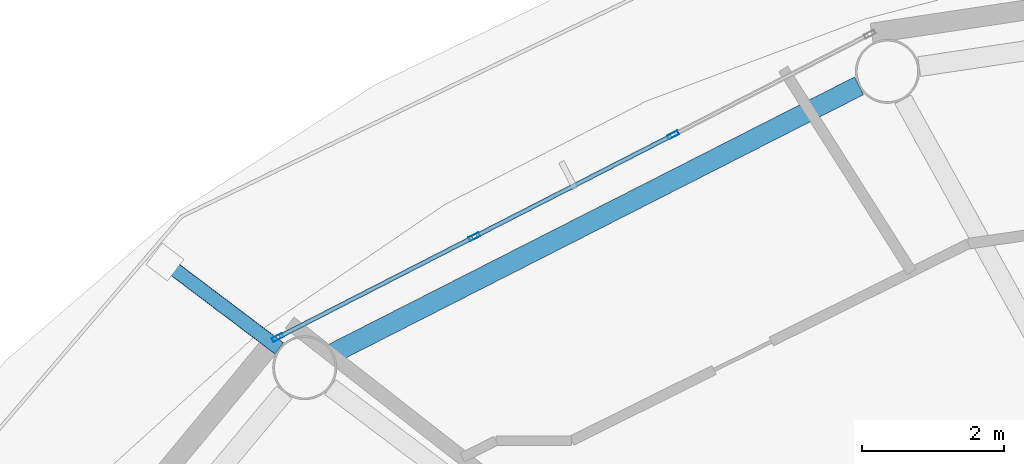
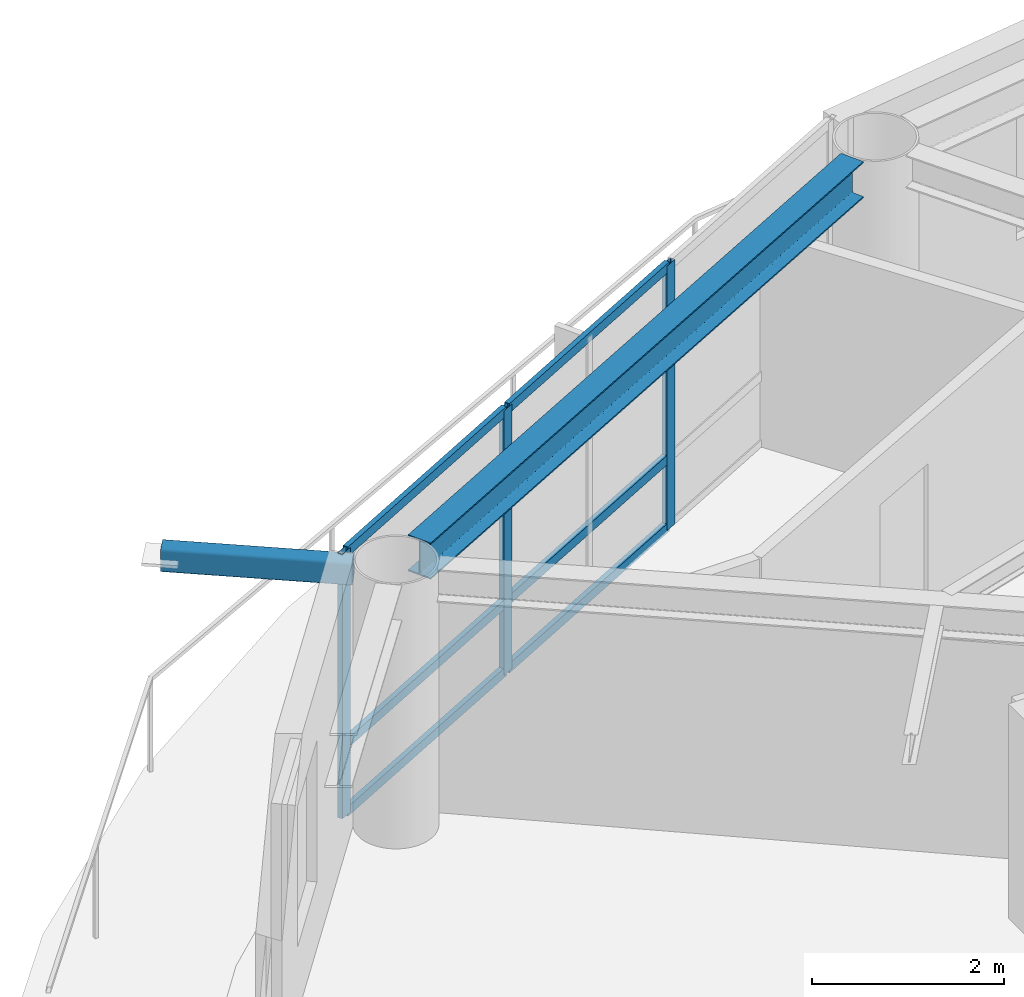
# One storey, part 8 of 22: 10 members, 1 beam, 1 element without a shape of its own.
"""IFC4 building model written with IfcOpenShell, lengths in metres."""

from ifc_helpers import new_model, si_unit, direction, frame, origin, origin_2d, place, context, subcontext, project, spatial, hollow_rectangle, i_section, extrude, material, layer, layer_set, material_profile, profile_set, type_object, element, aggregate, save


model = new_model("IFC4")

# Units and contexts
model_context = context("Model", 3, precision=1e-05, world=origin(), true_north=direction((0.0, 1.0)))
body_context = subcontext(model_context, "Body", "Model", "MODEL_VIEW")
ifc_project = project(units=[si_unit("LENGTHUNIT", "METRE"), si_unit("AREAUNIT", "SQUARE_METRE"), si_unit("VOLUMEUNIT", "CUBIC_METRE"), si_unit("PLANEANGLEUNIT", "RADIAN"), si_unit("MASSUNIT", "GRAM", prefix="KILO")], contexts=[model_context])

# Site, building, storey
site_placement = place(None, origin())
site = spatial("IfcSite", under=ifc_project, at=site_placement, CompositionType="ELEMENT")
building_placement = place(site_placement, origin())
building = spatial("IfcBuilding", under=site, at=building_placement, Name="Sarneth Arch Tower", CompositionType="ELEMENT")
storey_placement = place(building_placement, frame((0.0, 0.0, 305.39990234375)))
storey = spatial("IfcBuildingStorey", under=building, at=storey_placement, Name="L79", CompositionType="ELEMENT", Elevation=305.39990234375)

# Beam
ifc_material_1 = material(Name="Steel S355", Category="steel")
ifc_material_profile_1 = material_profile(ifc_material_1, i_section(OverallWidth=0.280029296875, OverallDepth=0.462890625, WebThickness=0.0107421875, FlangeThickness=0.017333984375, FilletRadius=0.01806640625, at=origin_2d()), Name="W460x113")
ifc_profile_set_1 = profile_set([ifc_material_profile_1], Name="Steel S355")
beam_type = type_object("IfcBeamType", Name="BM-RAD-460A", PredefinedType="BEAM", material=ifc_profile_set_1)
beam_placement = place(storey_placement, frame((37.80810546875, 59.534423828125, 3.138671875), z_axis=(-0.891376248079, -0.453264144138, 0.0), x_axis=(0.453264144138, -0.891376248079, 0.0)))
element("IfcBeam", 1, at=beam_placement, inside=storey, type_object=beam_type, Name="L79 Perimeter spandrel beam 06", PredefinedType="BEAM", context=body_context, shape_type="SweptSolid", body=[
    extrude(i_section(OverallWidth=0.280029296875, OverallDepth=0.462890625, WebThickness=0.0107421875, FlangeThickness=0.017333984375, FilletRadius=0.01806640625, at=origin_2d()), origin(), (0.0, 0.0, 1.0), 8.281982421875),
])

# Curtain wall, members
ifc_material_2 = material(Name="Anodised aluminium Type AA25 and solar-control low-e laminated IGU", Category="aluminium")
ifc_layer = layer(ifc_material_2, 0.179931640625)
ifc_layer_set = layer_set([ifc_layer], Name="Anodised aluminium Type AA25 and solar-control low-e laminated IGU")
curtain_wall_type = type_object("IfcCurtainWallType", Name="CW-RES-HIGH", PredefinedType="NOTDEFINED", material=ifc_layer_set)
curtain_wall_placement = place(storey_placement, origin())
curtain_wall = element("IfcCurtainWall", 2, at=curtain_wall_placement, inside=storey, type_object=curtain_wall_type, Name="L79 Unitised curtain wall facet 06", PredefinedType="NOTDEFINED")
ifc_material_3 = material(Name="Anodised Aluminium 6063-T6", Category="aluminium")
ifc_material_profile_2 = material_profile(ifc_material_3, hollow_rectangle(XDim=0.06005859375, YDim=0.159912109375, WallThickness=0.00390625, at=origin_2d()), Name="AL-MULL-160x60x4")
ifc_profile_set_2 = profile_set([ifc_material_profile_2], Name="Anodised Aluminium 6063-T6")
member_type_1 = type_object("IfcMemberType", Name="CW-MULLION", PredefinedType="MULLION", material=ifc_profile_set_2)
member_1_placement = place(storey_placement, frame((35.197509765625, 58.844970703125, 0.0), z_axis=(0.0, 0.0, 1.0), x_axis=(0.455941901753, -0.890009540525, 0.0)))
member_1 = element("IfcMember", 3, at=member_1_placement, type_object=member_type_1, Name="CW-SYS-6 mullion 2", PredefinedType="MULLION", context=body_context, shape_type="SweptSolid", body=[
    extrude(hollow_rectangle(XDim=0.06005859375, YDim=0.159912109375, WallThickness=0.00390625, at=origin_2d()), origin(), (0.0, 0.0, 1.0), 3.3701171875),
])
member_2_placement = place(storey_placement, frame((32.407470703125, 57.415771484375, 0.0), z_axis=(0.0, 0.0, 1.0), x_axis=(0.455941901753, -0.890009540525, 0.0)))
member_2 = element("IfcMember", 4, at=member_2_placement, type_object=member_type_1, Name="CW-SYS-6 mullion 3", PredefinedType="MULLION", context=body_context, shape_type="SweptSolid", body=[
    extrude(hollow_rectangle(XDim=0.06005859375, YDim=0.159912109375, WallThickness=0.00390625, at=origin_2d()), origin(), (0.0, 0.0, 1.0), 3.3701171875),
])
member_3_placement = place(storey_placement, frame((29.644287109375, 56.000244140625, 0.0), z_axis=(0.0, 0.0, 1.0), x_axis=(0.455941901753, -0.890009540525, 0.0)))
member_3 = element("IfcMember", 5, at=member_3_placement, type_object=member_type_1, Name="CW-SYS-6 mullion 4", PredefinedType="MULLION", context=body_context, shape_type="SweptSolid", body=[
    extrude(hollow_rectangle(XDim=0.06005859375, YDim=0.159912109375, WallThickness=0.00390625, at=origin_2d()), origin(), (0.0, 0.0, 1.0), 3.3701171875),
])
ifc_material_4 = material(Name="Anodised Aluminium 6063-T6", Category="aluminium")
ifc_material_profile_3 = material_profile(ifc_material_4, hollow_rectangle(XDim=0.06005859375, YDim=0.1201171875, WallThickness=0.00390625, at=origin_2d()), Name="AL-TRAN-120x60x4")
ifc_profile_set_3 = profile_set([ifc_material_profile_3], Name="Anodised Aluminium 6063-T6")
member_type_2 = type_object("IfcMemberType", Name="CW-TRANSOM", PredefinedType="USERDEFINED", material=ifc_profile_set_3)
member_4_placement = place(storey_placement, frame((35.170654296875, 58.831298828125, 0.030029296875), z_axis=(-0.890017432405, -0.455926496286, 0.0), x_axis=(0.455926496286, -0.890017432405, 0.0)))
member_4 = element("IfcMember", 6, at=member_4_placement, type_object=member_type_2, Name="CW-SYS-6 transom 2.1", ObjectType="TRANSOM", PredefinedType="USERDEFINED", context=body_context, shape_type="SweptSolid", body=[
    extrude(hollow_rectangle(XDim=0.06005859375, YDim=0.1201171875, WallThickness=0.00390625, at=origin_2d()), origin(), (0.0, 0.0, 1.0), 3.07470703125),
])
member_5_placement = place(storey_placement, frame((35.170654296875, 58.831298828125, 0.900146484375), z_axis=(-0.890017432405, -0.455926496286, 0.0), x_axis=(0.455926496286, -0.890017432405, 0.0)))
member_5 = element("IfcMember", 7, at=member_5_placement, type_object=member_type_2, Name="CW-SYS-6 transom 2.2", ObjectType="TRANSOM", PredefinedType="USERDEFINED", context=body_context, shape_type="SweptSolid", body=[
    extrude(hollow_rectangle(XDim=0.06005859375, YDim=0.1201171875, WallThickness=0.00390625, at=origin_2d()), origin(), (0.0, 0.0, 1.0), 3.07470703125),
])
member_6_placement = place(storey_placement, frame((35.170654296875, 58.831298828125, 3.340087890625), z_axis=(-0.890017432405, -0.455926496286, 0.0), x_axis=(0.455926496286, -0.890017432405, 0.0)))
member_6 = element("IfcMember", 8, at=member_6_placement, type_object=member_type_2, Name="CW-SYS-6 transom 2.3", ObjectType="TRANSOM", PredefinedType="USERDEFINED", context=body_context, shape_type="SweptSolid", body=[
    extrude(hollow_rectangle(XDim=0.06005859375, YDim=0.1201171875, WallThickness=0.00390625, at=origin_2d()), origin(), (0.0, 0.0, 1.0), 3.07470703125),
])
member_7_placement = place(storey_placement, frame((32.380859375, 57.402099609375, 0.030029296875), z_axis=(-0.890022732705, -0.455916149384, 0.0), x_axis=(0.455916149384, -0.890022732705, 0.0)))
member_7 = element("IfcMember", 9, at=member_7_placement, type_object=member_type_2, Name="CW-SYS-6 transom 3.1", ObjectType="TRANSOM", PredefinedType="USERDEFINED", context=body_context, shape_type="SweptSolid", body=[
    extrude(hollow_rectangle(XDim=0.06005859375, YDim=0.1201171875, WallThickness=0.00390625, at=origin_2d()), origin(), (0.0, 0.0, 1.0), 3.044921875),
])
member_8_placement = place(storey_placement, frame((32.380859375, 57.402099609375, 0.900146484375), z_axis=(-0.890022732705, -0.455916149384, 0.0), x_axis=(0.455916149384, -0.890022732705, 0.0)))
member_8 = element("IfcMember", 10, at=member_8_placement, type_object=member_type_2, Name="CW-SYS-6 transom 3.2", ObjectType="TRANSOM", PredefinedType="USERDEFINED", context=body_context, shape_type="SweptSolid", body=[
    extrude(hollow_rectangle(XDim=0.06005859375, YDim=0.1201171875, WallThickness=0.00390625, at=origin_2d()), origin(), (0.0, 0.0, 1.0), 3.044921875),
])
member_9_placement = place(storey_placement, frame((32.380859375, 57.402099609375, 3.340087890625), z_axis=(-0.890022732705, -0.455916149384, 0.0), x_axis=(0.455916149384, -0.890022732705, 0.0)))
member_9 = element("IfcMember", 11, at=member_9_placement, type_object=member_type_2, Name="CW-SYS-6 transom 3.3", ObjectType="TRANSOM", PredefinedType="USERDEFINED", context=body_context, shape_type="SweptSolid", body=[
    extrude(hollow_rectangle(XDim=0.06005859375, YDim=0.1201171875, WallThickness=0.00390625, at=origin_2d()), origin(), (0.0, 0.0, 1.0), 3.044921875),
])
aggregate(curtain_wall, [member_1, member_2, member_3, member_4, member_5, member_6, member_7, member_8, member_9])

# Member
ifc_material_5 = material(Name="Steel S355", Category="steel")
ifc_material_profile_4 = material_profile(ifc_material_5, hollow_rectangle(XDim=0.199951171875, YDim=0.300048828125, WallThickness=0.012451171875, InnerFilletRadius=0.018798828125, OuterFilletRadius=0.03125, at=origin_2d()), Name="RHS300x200x12.5")
ifc_profile_set_4 = profile_set([ifc_material_profile_4], Name="Steel S355")
member_type_3 = type_object("IfcMemberType", Name="MEM-CANT-STRUT", PredefinedType="STRUT", material=ifc_profile_set_4)
member_10_placement = place(storey_placement, frame((29.665771484375, 55.84765625, 3.210205078125), z_axis=(-0.797986598511, 0.602675193281, 0.0), x_axis=(-0.602675193281, -0.797986598511, 0.0)))
element("IfcMember", 12, at=member_10_placement, inside=storey, type_object=member_type_3, Name="L79 Balcony cantilever bracket 07", PredefinedType="STRUT", context=body_context, shape_type="SweptSolid", body=[
    extrude(hollow_rectangle(XDim=0.199951171875, YDim=0.300048828125, WallThickness=0.012451171875, InnerFilletRadius=0.018798828125, OuterFilletRadius=0.03125, at=origin_2d()), origin(), (0.0, 0.0, 1.0), 2.012451171875),
])

save(model, "model.ifc")
